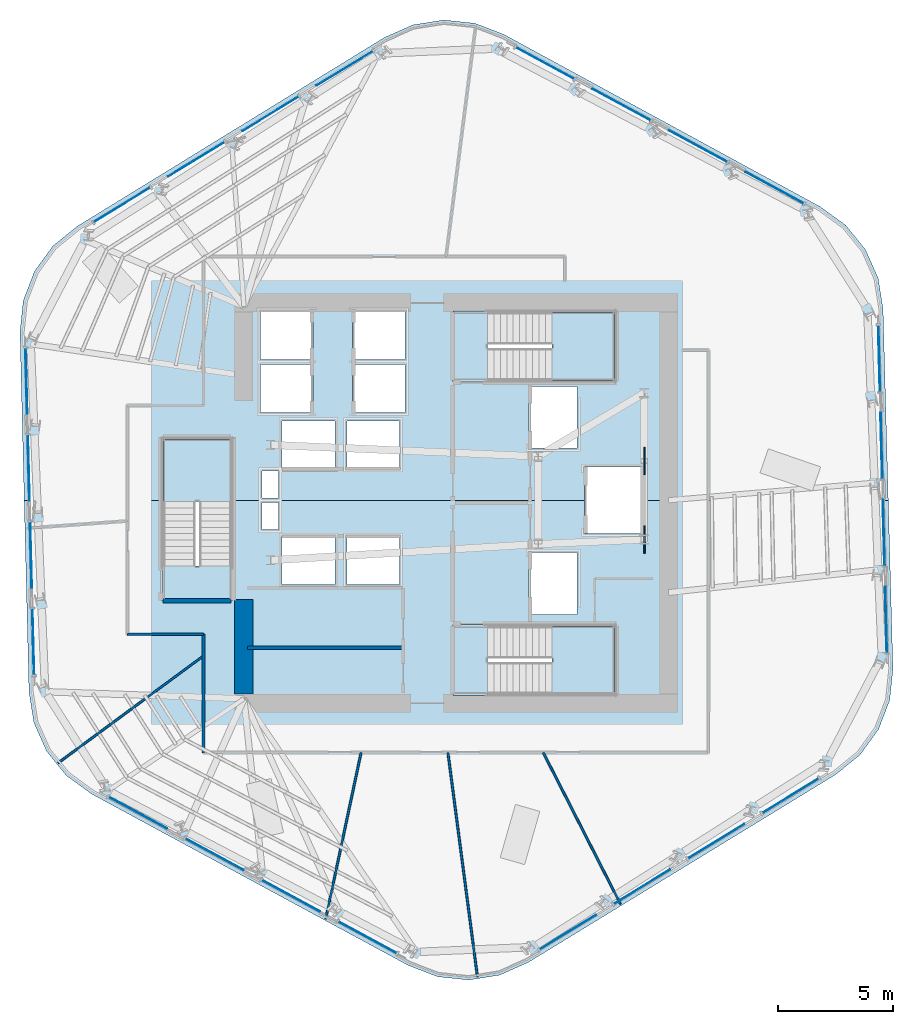
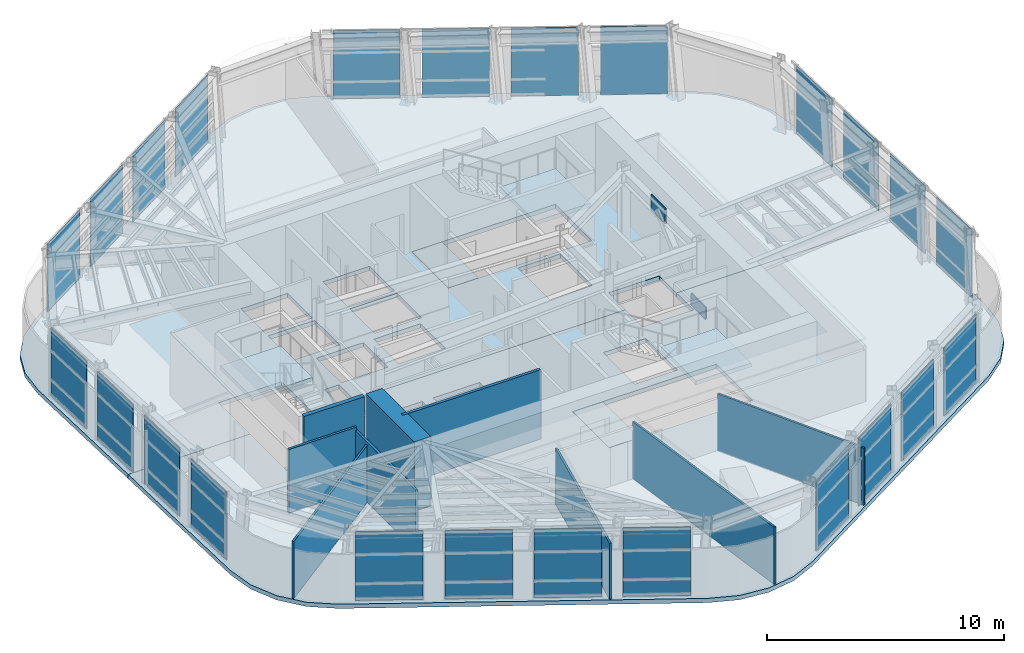
# One storey, part 7 of 15: 26 plates, 9 walls, 8 slabs, 9 elements without a shape of their own.
"""IFC4 building model written with IfcOpenShell, lengths in metres."""

import ifcopenshell
import ifcopenshell.guid

model = None  # the IFC model being written
_history = None  # IfcOwnerHistory: only IFC2X3 demands one
_inside = {}  # id of a spatial element -> (the spatial element, [elements in it])
_under = {}  # id of a project, library or spatial element -> (it, [spatial elements below it])
_declared = {}  # id of a project -> (the project, [libraries it declares])
_typed = {}  # id of a type object -> (the type object, [elements of that type])
_made_of = {}  # id of a material, layer set ... -> (it, [elements and type objects made of it])


def new_model(schema):
    """Start an empty IFC model of exactly this schema.

    Asked for "IFC4X3", IfcOpenShell would pick the latest addendum, in which some entities
    have other attributes; the version numbers below select the first issue.
    IFC2X3 requires an IfcOwnerHistory on every rooted entity: one is made here for all.
    """
    global model, _history
    if schema == "IFC4X3":
        model = ifcopenshell.file(schema_version=(4, 3, 0, 0))
    else:
        model = ifcopenshell.file(schema=schema)
    _inside.clear()
    _under.clear()
    _declared.clear()
    _typed.clear()
    _made_of.clear()
    _history = None
    if model.schema == "IFC2X3":
        org = make("IfcOrganization", Name="unknown")
        user = make(
            "IfcPersonAndOrganization",
            ThePerson=make("IfcPerson", FamilyName="unknown"),
            TheOrganization=org,
        )
        app = make(
            "IfcApplication",
            ApplicationDeveloper=org,
            Version="unknown",
            ApplicationFullName="unknown",
            ApplicationIdentifier="unknown",
        )
        _history = make(
            "IfcOwnerHistory",
            OwningUser=user,
            OwningApplication=app,
            ChangeAction="ADDED",
            CreationDate=0,
        )
    return model


def make(cls, **values):
    """One entity of the class cls with the attributes given. An attribute that is None is left unset."""
    return model.create_entity(
        cls, **{name: value for name, value in values.items() if value is not None}
    )


def rooted(cls, **values):
    """An entity with a GlobalId (a new one), such as an element, a storey or a relation."""
    return make(cls, GlobalId=ifcopenshell.guid.new(), OwnerHistory=_history, **values)


def si_unit(unit_type, name, prefix=None):
    """IfcSIUnit, for example si_unit("LENGTHUNIT", "METRE", prefix="MILLI")."""
    return make("IfcSIUnit", UnitType=unit_type, Prefix=prefix, Name=name)


def assignment(units):
    """IfcUnitAssignment: the units of a project."""
    return None if units is None else make("IfcUnitAssignment", Units=units)


def point(xyz):
    """IfcCartesianPoint."""
    return None if xyz is None else make("IfcCartesianPoint", Coordinates=xyz)


def direction(xyz):
    """IfcDirection."""
    return None if xyz is None else make("IfcDirection", DirectionRatios=xyz)


def frame(location, z_axis=None, x_axis=None):
    """IfcAxis2Placement3D, a coordinate frame: its origin and axes. An axis left out is left unset."""
    return make(
        "IfcAxis2Placement3D",
        Location=point(location),
        Axis=direction(z_axis),
        RefDirection=direction(x_axis),
    )


def frame_2d(location, x_axis=None):
    """IfcAxis2Placement2D, a coordinate frame in the plane: its origin and x axis."""
    return make(
        "IfcAxis2Placement2D", Location=point(location), RefDirection=direction(x_axis)
    )


def origin():
    """The frame at (0, 0, 0) with its axes left unset."""
    return frame((0.0, 0.0, 0.0))


def origin_2d():
    """The frame at (0, 0) in the plane with its x axis left unset."""
    return frame_2d((0.0, 0.0))


def place(relative_to, where):
    """IfcLocalPlacement: puts the frame where relative to a parent placement (None: the world)."""
    return make(
        "IfcLocalPlacement", PlacementRelTo=relative_to, RelativePlacement=where
    )


def context(
    kind, dimensions, precision=None, world=None, true_north=None, identifier=None
):
    """IfcGeometricRepresentationContext, for example the 3D "Model" context."""
    return make(
        "IfcGeometricRepresentationContext",
        ContextIdentifier=identifier,
        ContextType=kind,
        CoordinateSpaceDimension=dimensions,
        Precision=precision,
        WorldCoordinateSystem=world,
        TrueNorth=true_north,
    )


def subcontext(parent, identifier, kind, view, scale=None):
    """IfcGeometricRepresentationSubContext, for example "Body" below "Model"."""
    return make(
        "IfcGeometricRepresentationSubContext",
        ContextIdentifier=identifier,
        ContextType=kind,
        ParentContext=parent,
        TargetScale=scale,
        TargetView=view,
    )


def project(units=None, contexts=None):
    """IfcProject with its units and contexts."""
    return rooted(
        "IfcProject",
        Name="project",
        RepresentationContexts=contexts,
        UnitsInContext=assignment(units),
    )


def spatial(cls, under=None, at=None, **own):
    """A site, building, storey or space (cls), placed at a placement, below another one or the project."""
    s = rooted(cls, ObjectPlacement=at, **own)
    if under is not None:
        _under.setdefault(under.id(), (under, []))[1].append(s)
    return s


def polyline(points):
    """IfcPolyline through the points."""
    return make("IfcPolyline", Points=[point(p) for p in points])


def profile(cls, at=None, kind="AREA", **sizes):
    """A parametric profile (cls). Its sizes go by their IFC names, for example OverallWidth=200.0."""
    return make(cls, ProfileType=kind, Position=at, **sizes)


def rectangle(**sizes):
    """IfcRectangleProfileDef."""
    return profile("IfcRectangleProfileDef", **sizes)


def outline(outer, holes=None, kind="AREA"):
    """IfcArbitraryClosedProfileDef: a profile drawn as a closed curve; with holes, ...WithVoids."""
    if holes is None:
        return make("IfcArbitraryClosedProfileDef", ProfileType=kind, OuterCurve=outer)
    return make(
        "IfcArbitraryProfileDefWithVoids",
        ProfileType=kind,
        OuterCurve=outer,
        InnerCurves=holes,
    )


def extrude(swept, where, along, depth):
    """IfcExtrudedAreaSolid: the profile swept, set in the frame where, extruded along a direction by depth."""
    return make(
        "IfcExtrudedAreaSolid",
        SweptArea=swept,
        Position=where,
        ExtrudedDirection=direction(along),
        Depth=depth,
    )


def shape(context_of_items, identifier, shape_type, items):
    """IfcShapeRepresentation: the items that make up one representation, for example the "Body"."""
    return make(
        "IfcShapeRepresentation",
        ContextOfItems=context_of_items,
        RepresentationIdentifier=identifier,
        RepresentationType=shape_type,
        Items=items,
    )


def material(Name=None, Category=None):
    """IfcMaterial."""
    return make("IfcMaterial", Name=Name, Category=Category)


def layer(
    of_material, thickness, ventilated=None, Name=None, Category=None, Priority=None
):
    """IfcMaterialLayer: one layer of a wall or slab, of a material (None: an air gap)."""
    return make(
        "IfcMaterialLayer",
        Material=of_material,
        LayerThickness=thickness,
        IsVentilated=ventilated,
        Name=Name,
        Category=Category,
        Priority=Priority,
    )


def layer_set(layers, Name=None):
    """IfcMaterialLayerSet."""
    return make("IfcMaterialLayerSet", MaterialLayers=layers, LayerSetName=Name)


def made_of(thing, what):
    """Note that an element or type object is made of a material, layer set ...; save() writes the relation."""
    if what is not None:
        _made_of.setdefault(what.id(), (what, []))[1].append(thing)
    return thing


def type_object(cls, material=None, **own):
    """A type object (cls), such as IfcWallType, which elements share."""
    return made_of(rooted(cls, **own), material)


def element(
    cls,
    number,
    at=None,
    inside=None,
    cuts=None,
    type_object=None,
    material=None,
    context=None,
    identifier="Body",
    shape_type=None,
    held_by="IfcProductDefinitionShape",
    body=None,
    shapes=None,
    **own,
):
    """One element of the class cls, such as IfcWall. Its Tag is "e" and its number.

    at: its placement. inside: the storey or other place that contains it. cuts: it is an
    opening in that element (IfcRelVoidsElement). A single representation is given by context,
    identifier, shape_type and body (its items); several are given by shapes. held_by: the class
    of the entity that holds the representations. save() writes the other relations.
    """
    e = rooted(cls, Tag="e%d" % number, ObjectPlacement=at, **own)
    if body is not None:
        shapes = [shape(context, identifier, shape_type, body)]
    if shapes is not None:
        e.Representation = make(held_by, Representations=shapes)
    if inside is not None:
        _inside.setdefault(inside.id(), (inside, []))[1].append(e)
    if cuts is not None:
        rooted(
            "IfcRelVoidsElement", RelatingBuildingElement=cuts, RelatedOpeningElement=e
        )
    if type_object is not None:
        _typed.setdefault(type_object.id(), (type_object, []))[1].append(e)
    return made_of(e, material)


def aggregate(whole, parts):
    """IfcRelAggregates: a whole, such as a stair, and the parts it consists of."""
    return rooted("IfcRelAggregates", RelatingObject=whole, RelatedObjects=parts)


def save(model, path):
    """Write the relations noted so far, then the file.

    IfcRelAggregates (storeys below a building ...), IfcRelContainedInSpatialStructure (elements
    in a storey), IfcRelDefinesByType, IfcRelAssociatesMaterial and IfcRelDeclares: one each for
    every whole, place, type object, material and project.
    """
    for whole, parts in _under.values():
        aggregate(whole, parts)
    for where, things in _inside.values():
        rooted(
            "IfcRelContainedInSpatialStructure",
            RelatedElements=things,
            RelatingStructure=where,
        )
    for kind, things in _typed.values():
        rooted("IfcRelDefinesByType", RelatedObjects=things, RelatingType=kind)
    for what, things in _made_of.values():
        rooted("IfcRelAssociatesMaterial", RelatedObjects=things, RelatingMaterial=what)
    for by, libraries in _declared.values():
        rooted("IfcRelDeclares", RelatingContext=by, RelatedDefinitions=libraries)
    model.write(path)


model = new_model("IFC4")

# Units and contexts
model_context = context("Model", 3, precision=1e-05, world=origin(), true_north=direction((0.0, 1.0)))
body_context = subcontext(model_context, "Body", "Model", "MODEL_VIEW")
ifc_project = project(units=[si_unit("LENGTHUNIT", "METRE"), si_unit("AREAUNIT", "SQUARE_METRE"), si_unit("VOLUMEUNIT", "CUBIC_METRE"), si_unit("PLANEANGLEUNIT", "RADIAN"), si_unit("MASSUNIT", "GRAM", prefix="KILO")], contexts=[model_context])

# Site, building, storey
site_placement = place(None, origin())
site = spatial("IfcSite", under=ifc_project, at=site_placement, CompositionType="ELEMENT")
building_placement = place(site_placement, origin())
building = spatial("IfcBuilding", under=site, at=building_placement, Name="Valkerne Bourse Tower", CompositionType="ELEMENT")
storey_placement = place(building_placement, frame((0.0, 0.0, 159.0)))
storey = spatial("IfcBuildingStorey", under=building, at=storey_placement, Name="L40", CompositionType="ELEMENT", Elevation=159.0)

# Curtain wall, plates
ifc_material_1 = material(Name="Aluminium AA 6063-T6", Category="aluminium")
ifc_layer_1 = layer(ifc_material_1, 0.235107421875)
ifc_layer_set_1 = layer_set([ifc_layer_1], Name="Aluminium AA 6063-T6")
curtain_wall_type = type_object("IfcCurtainWallType", Name="CW-03", PredefinedType="NOTDEFINED", material=ifc_layer_set_1)
curtain_wall_1_placement = place(storey_placement, origin())
curtain_wall_1 = element("IfcCurtainWall", 1, at=curtain_wall_1_placement, inside=storey, type_object=curtain_wall_type, Name="L40 Hexagonal Stick Curtain Wall Face 1", PredefinedType="NOTDEFINED")
ifc_material_2 = material(Name="Glass IGU Low-E Double Glazed", Category="glass")
ifc_layer_2 = layer(ifc_material_2, 0.031982421875)
ifc_layer_set_2 = layer_set([ifc_layer_2], Name="Glass IGU Low-E Double Glazed")
plate_type_1 = type_object("IfcPlateType", Name="CW-PNL-IGU-32", PredefinedType="CURTAIN_PANEL", material=ifc_layer_set_2)
plate_1_placement = place(storey_placement, frame((60.59033203125, 40.54443359375, 0.030029296875), z_axis=(0.0, 0.0, 1.0), x_axis=(-0.878823249644, 0.477147457171, 0.0)))
plate_1 = element("IfcPlate", 2, at=plate_1_placement, type_object=plate_type_1, Name="CW-L40-F1 Curtain Panel 00", PredefinedType="CURTAIN_PANEL", context=body_context, shape_type="SweptSolid", body=[
    extrude(rectangle(XDim=2.85107421875, YDim=0.031982421875, at=origin_2d()), origin(), (0.0, 0.0, 1.0), 3.52001953125),
])
plate_2_placement = place(storey_placement, frame((57.2763671875, 42.34375, 0.030029296875), z_axis=(0.0, 0.0, 1.0), x_axis=(-0.878812129585, 0.477167937831, 0.0)))
plate_2 = element("IfcPlate", 3, at=plate_2_placement, type_object=plate_type_1, Name="CW-L40-F1 Curtain Panel 01", PredefinedType="CURTAIN_PANEL", context=body_context, shape_type="SweptSolid", body=[
    extrude(rectangle(XDim=2.85107421875, YDim=0.031982421875, at=origin_2d()), origin(), (0.0, 0.0, 1.0), 3.52001953125),
])
plate_3_placement = place(storey_placement, frame((53.96240234375, 44.14306640625, 0.030029296875), z_axis=(0.0, 0.0, 1.0), x_axis=(-0.878823249644, 0.477147457171, 0.0)))
plate_3 = element("IfcPlate", 4, at=plate_3_placement, type_object=plate_type_1, Name="CW-L40-F1 Curtain Panel 02", PredefinedType="CURTAIN_PANEL", context=body_context, shape_type="SweptSolid", body=[
    extrude(rectangle(XDim=2.85107421875, YDim=0.031982421875, at=origin_2d()), origin(), (0.0, 0.0, 1.0), 3.52001953125),
])
plate_4_placement = place(storey_placement, frame((50.6484375, 45.9423828125, 0.030029296875), z_axis=(0.0, 0.0, 1.0), x_axis=(-0.878812129585, 0.477167937831, 0.0)))
plate_4 = element("IfcPlate", 5, at=plate_4_placement, type_object=plate_type_1, Name="CW-L40-F1 Curtain Panel 03", PredefinedType="CURTAIN_PANEL", context=body_context, shape_type="SweptSolid", body=[
    extrude(rectangle(XDim=2.85107421875, YDim=0.031982421875, at=origin_2d()), origin(), (0.0, 0.0, 1.0), 3.52001953125),
])
aggregate(curtain_wall_1, [plate_1, plate_2, plate_3, plate_4])

curtain_wall_2_placement = place(storey_placement, origin())
curtain_wall_2 = element("IfcCurtainWall", 6, at=curtain_wall_2_placement, inside=storey, type_object=curtain_wall_type, Name="L40 Hexagonal Stick Curtain Wall Face 2", PredefinedType="NOTDEFINED")
plate_5_placement = place(storey_placement, frame((41.965576171875, 45.715087890625, 0.030029296875), z_axis=(0.0, 0.0, 1.0), x_axis=(-0.852644697846, -0.522491166657, 0.0)))
plate_5 = element("IfcPlate", 7, at=plate_5_placement, type_object=plate_type_1, Name="CW-L40-F2 Curtain Panel 00", PredefinedType="CURTAIN_PANEL", context=body_context, shape_type="SweptSolid", body=[
    extrude(rectangle(XDim=2.85107421875, YDim=0.031982421875, at=origin_2d()), origin(), (0.0, 0.0, 1.0), 3.52001953125),
])
plate_6_placement = place(storey_placement, frame((38.750244140625, 43.74462890625, 0.030029296875), z_axis=(0.0, 0.0, 1.0), x_axis=(-0.85263288388, -0.522510445184, 0.0)))
plate_6 = element("IfcPlate", 8, at=plate_6_placement, type_object=plate_type_1, Name="CW-L40-F2 Curtain Panel 01", PredefinedType="CURTAIN_PANEL", context=body_context, shape_type="SweptSolid", body=[
    extrude(rectangle(XDim=2.85107421875, YDim=0.031982421875, at=origin_2d()), origin(), (0.0, 0.0, 1.0), 3.52001953125),
])
plate_7_placement = place(storey_placement, frame((35.534912109375, 41.7744140625, 0.030029296875), z_axis=(0.0, 0.0, 1.0), x_axis=(-0.852644697846, -0.522491166657, 0.0)))
plate_7 = element("IfcPlate", 9, at=plate_7_placement, type_object=plate_type_1, Name="CW-L40-F2 Curtain Panel 02", PredefinedType="CURTAIN_PANEL", context=body_context, shape_type="SweptSolid", body=[
    extrude(rectangle(XDim=2.85107421875, YDim=0.031982421875, at=origin_2d()), origin(), (0.0, 0.0, 1.0), 3.52001953125),
])
plate_8_placement = place(storey_placement, frame((32.319580078125, 39.80419921875, 0.030029296875), z_axis=(0.0, 0.0, 1.0), x_axis=(-0.852644697846, -0.522491166657, 0.0)))
plate_8 = element("IfcPlate", 10, at=plate_8_placement, type_object=plate_type_1, Name="CW-L40-F2 Curtain Panel 03", PredefinedType="CURTAIN_PANEL", context=body_context, shape_type="SweptSolid", body=[
    extrude(rectangle(XDim=2.85107421875, YDim=0.031982421875, at=origin_2d()), origin(), (0.0, 0.0, 1.0), 3.52001953125),
])
aggregate(curtain_wall_2, [plate_5, plate_6, plate_7, plate_8])

curtain_wall_3_placement = place(storey_placement, origin())
curtain_wall_3 = element("IfcCurtainWall", 11, at=curtain_wall_3_placement, inside=storey, type_object=curtain_wall_type, Name="L40 Hexagonal Stick Curtain Wall Face 3", PredefinedType="NOTDEFINED")
plate_9_placement = place(storey_placement, frame((28.175048828125, 32.170654296875, 0.030029296875), z_axis=(0.0, 0.0, 1.0), x_axis=(0.026173485138, -0.999657415656, 0.0)))
plate_9 = element("IfcPlate", 12, at=plate_9_placement, type_object=plate_type_1, Name="CW-L40-F3 Curtain Panel 00", PredefinedType="CURTAIN_PANEL", context=body_context, shape_type="SweptSolid", body=[
    extrude(rectangle(XDim=2.850830078125, YDim=0.031982421875, at=origin_2d()), origin(), (0.0, 0.0, 1.0), 3.52001953125),
])
plate_10_placement = place(storey_placement, frame((28.273681640625, 28.40087890625, 0.030029296875), z_axis=(0.0, 0.0, 1.0), x_axis=(0.026173485138, -0.999657415656, 0.0)))
plate_10 = element("IfcPlate", 13, at=plate_10_placement, type_object=plate_type_1, Name="CW-L40-F3 Curtain Panel 01", PredefinedType="CURTAIN_PANEL", context=body_context, shape_type="SweptSolid", body=[
    extrude(rectangle(XDim=2.850830078125, YDim=0.031982421875, at=origin_2d()), origin(), (0.0, 0.0, 1.0), 3.52001953125),
])
plate_11_placement = place(storey_placement, frame((28.37255859375, 24.63134765625, 0.030029296875), z_axis=(0.0, 0.0, 1.0), x_axis=(0.026173485138, -0.999657415656, 0.0)))
plate_11 = element("IfcPlate", 14, at=plate_11_placement, type_object=plate_type_1, Name="CW-L40-F3 Curtain Panel 02", PredefinedType="CURTAIN_PANEL", context=body_context, shape_type="SweptSolid", body=[
    extrude(rectangle(XDim=2.850830078125, YDim=0.031982421875, at=origin_2d()), origin(), (0.0, 0.0, 1.0), 3.52001953125),
])
plate_12_placement = place(storey_placement, frame((28.47119140625, 20.861572265625, 0.030029296875), z_axis=(0.0, 0.0, 1.0), x_axis=(0.026173485138, -0.999657415656, 0.0)))
plate_12 = element("IfcPlate", 15, at=plate_12_placement, type_object=plate_type_1, Name="CW-L40-F3 Curtain Panel 03", PredefinedType="CURTAIN_PANEL", context=body_context, shape_type="SweptSolid", body=[
    extrude(rectangle(XDim=2.850830078125, YDim=0.031982421875, at=origin_2d()), origin(), (0.0, 0.0, 1.0), 3.52001953125),
])
aggregate(curtain_wall_3, [plate_9, plate_10, plate_11, plate_12])

curtain_wall_4_placement = place(storey_placement, origin())
curtain_wall_4 = element("IfcCurtainWall", 16, at=curtain_wall_4_placement, inside=storey, type_object=curtain_wall_type, Name="L40 Hexagonal Stick Curtain Wall Face 4", PredefinedType="NOTDEFINED")
plate_13_placement = place(storey_placement, frame((33.009521484375, 13.45556640625, 0.030029296875), z_axis=(0.0, 0.0, 1.0), x_axis=(0.878823249644, -0.477147457171, 0.0)))
plate_13 = element("IfcPlate", 17, at=plate_13_placement, type_object=plate_type_1, Name="CW-L40-F4 Curtain Panel 00", PredefinedType="CURTAIN_PANEL", context=body_context, shape_type="SweptSolid", body=[
    extrude(rectangle(XDim=2.85107421875, YDim=0.031982421875, at=origin_2d()), origin(), (0.0, 0.0, 1.0), 3.52001953125),
])
plate_14_placement = place(storey_placement, frame((36.323486328125, 11.65625, 0.030029296875), z_axis=(0.0, 0.0, 1.0), x_axis=(0.878812129585, -0.477167937831, 0.0)))
plate_14 = element("IfcPlate", 18, at=plate_14_placement, type_object=plate_type_1, Name="CW-L40-F4 Curtain Panel 01", PredefinedType="CURTAIN_PANEL", context=body_context, shape_type="SweptSolid", body=[
    extrude(rectangle(XDim=2.85107421875, YDim=0.031982421875, at=origin_2d()), origin(), (0.0, 0.0, 1.0), 3.52001953125),
])
plate_15_placement = place(storey_placement, frame((39.6376953125, 9.85693359375, 0.030029296875), z_axis=(0.0, 0.0, 1.0), x_axis=(0.878823249644, -0.477147457171, 0.0)))
plate_15 = element("IfcPlate", 19, at=plate_15_placement, type_object=plate_type_1, Name="CW-L40-F4 Curtain Panel 02", PredefinedType="CURTAIN_PANEL", context=body_context, shape_type="SweptSolid", body=[
    extrude(rectangle(XDim=2.85107421875, YDim=0.031982421875, at=origin_2d()), origin(), (0.0, 0.0, 1.0), 3.52001953125),
])
plate_16_placement = place(storey_placement, frame((42.95166015625, 8.0576171875, 0.030029296875), z_axis=(0.0, 0.0, 1.0), x_axis=(0.878812129585, -0.477167937831, 0.0)))
plate_16 = element("IfcPlate", 20, at=plate_16_placement, type_object=plate_type_1, Name="CW-L40-F4 Curtain Panel 03", PredefinedType="CURTAIN_PANEL", context=body_context, shape_type="SweptSolid", body=[
    extrude(rectangle(XDim=2.85107421875, YDim=0.031982421875, at=origin_2d()), origin(), (0.0, 0.0, 1.0), 3.52001953125),
])
aggregate(curtain_wall_4, [plate_13, plate_14, plate_15, plate_16])

curtain_wall_5_placement = place(storey_placement, origin())
curtain_wall_5 = element("IfcCurtainWall", 21, at=curtain_wall_5_placement, inside=storey, type_object=curtain_wall_type, Name="L40 Hexagonal Stick Curtain Wall Face 5", PredefinedType="NOTDEFINED")
plate_17_placement = place(storey_placement, frame((51.634521484375, 8.284912109375, 0.030029296875), z_axis=(0.0, 0.0, 1.0), x_axis=(0.852644697846, 0.522491166657, 0.0)))
plate_17 = element("IfcPlate", 22, at=plate_17_placement, type_object=plate_type_1, Name="CW-L40-F5 Curtain Panel 00", PredefinedType="CURTAIN_PANEL", context=body_context, shape_type="SweptSolid", body=[
    extrude(rectangle(XDim=2.85107421875, YDim=0.031982421875, at=origin_2d()), origin(), (0.0, 0.0, 1.0), 3.52001953125),
])
plate_18_placement = place(storey_placement, frame((54.849853515625, 10.25537109375, 0.030029296875), z_axis=(0.0, 0.0, 1.0), x_axis=(0.85263288388, 0.522510445184, 0.0)))
plate_18 = element("IfcPlate", 23, at=plate_18_placement, type_object=plate_type_1, Name="CW-L40-F5 Curtain Panel 01", PredefinedType="CURTAIN_PANEL", context=body_context, shape_type="SweptSolid", body=[
    extrude(rectangle(XDim=2.85107421875, YDim=0.031982421875, at=origin_2d()), origin(), (0.0, 0.0, 1.0), 3.52001953125),
])
plate_19_placement = place(storey_placement, frame((58.065185546875, 12.2255859375, 0.030029296875), z_axis=(0.0, 0.0, 1.0), x_axis=(0.852644697846, 0.522491166657, 0.0)))
plate_19 = element("IfcPlate", 24, at=plate_19_placement, type_object=plate_type_1, Name="CW-L40-F5 Curtain Panel 02", PredefinedType="CURTAIN_PANEL", context=body_context, shape_type="SweptSolid", body=[
    extrude(rectangle(XDim=2.85107421875, YDim=0.031982421875, at=origin_2d()), origin(), (0.0, 0.0, 1.0), 3.52001953125),
])
plate_20_placement = place(storey_placement, frame((61.280517578125, 14.19580078125, 0.030029296875), z_axis=(0.0, 0.0, 1.0), x_axis=(0.852644697846, 0.522491166657, 0.0)))
plate_20 = element("IfcPlate", 25, at=plate_20_placement, type_object=plate_type_1, Name="CW-L40-F5 Curtain Panel 03", PredefinedType="CURTAIN_PANEL", context=body_context, shape_type="SweptSolid", body=[
    extrude(rectangle(XDim=2.85107421875, YDim=0.031982421875, at=origin_2d()), origin(), (0.0, 0.0, 1.0), 3.52001953125),
])
aggregate(curtain_wall_5, [plate_17, plate_18, plate_19, plate_20])

curtain_wall_6_placement = place(storey_placement, origin())
curtain_wall_6 = element("IfcCurtainWall", 26, at=curtain_wall_6_placement, inside=storey, type_object=curtain_wall_type, Name="L40 Hexagonal Stick Curtain Wall Face 6", PredefinedType="NOTDEFINED")
plate_21_placement = place(storey_placement, frame((65.4248046875, 21.829345703125, 0.030029296875), z_axis=(0.0, 0.0, 1.0), x_axis=(-0.026173485138, 0.999657415656, 0.0)))
plate_21 = element("IfcPlate", 27, at=plate_21_placement, type_object=plate_type_1, Name="CW-L40-F6 Curtain Panel 00", PredefinedType="CURTAIN_PANEL", context=body_context, shape_type="SweptSolid", body=[
    extrude(rectangle(XDim=2.850830078125, YDim=0.031982421875, at=origin_2d()), origin(), (0.0, 0.0, 1.0), 3.52001953125),
])
plate_22_placement = place(storey_placement, frame((65.326171875, 25.59912109375, 0.030029296875), z_axis=(0.0, 0.0, 1.0), x_axis=(-0.026173485138, 0.999657415656, 0.0)))
plate_22 = element("IfcPlate", 28, at=plate_22_placement, type_object=plate_type_1, Name="CW-L40-F6 Curtain Panel 01", PredefinedType="CURTAIN_PANEL", context=body_context, shape_type="SweptSolid", body=[
    extrude(rectangle(XDim=2.850830078125, YDim=0.031982421875, at=origin_2d()), origin(), (0.0, 0.0, 1.0), 3.52001953125),
])
plate_23_placement = place(storey_placement, frame((65.2275390625, 29.36865234375, 0.030029296875), z_axis=(0.0, 0.0, 1.0), x_axis=(-0.026173485138, 0.999657415656, 0.0)))
plate_23 = element("IfcPlate", 29, at=plate_23_placement, type_object=plate_type_1, Name="CW-L40-F6 Curtain Panel 02", PredefinedType="CURTAIN_PANEL", context=body_context, shape_type="SweptSolid", body=[
    extrude(rectangle(XDim=2.850830078125, YDim=0.031982421875, at=origin_2d()), origin(), (0.0, 0.0, 1.0), 3.52001953125),
])
plate_24_placement = place(storey_placement, frame((65.12890625, 33.138427734375, 0.030029296875), z_axis=(0.0, 0.0, 1.0), x_axis=(-0.026173485138, 0.999657415656, 0.0)))
plate_24 = element("IfcPlate", 30, at=plate_24_placement, type_object=plate_type_1, Name="CW-L40-F6 Curtain Panel 03", PredefinedType="CURTAIN_PANEL", context=body_context, shape_type="SweptSolid", body=[
    extrude(rectangle(XDim=2.850830078125, YDim=0.031982421875, at=origin_2d()), origin(), (0.0, 0.0, 1.0), 3.52001953125),
])
aggregate(curtain_wall_6, [plate_21, plate_22, plate_23, plate_24])

# Plates
ifc_material_3 = material(Name="Steel ASTM A572 Grade 50", Category="steel")
ifc_layer_3 = layer(ifc_material_3, 0.06005859375)
ifc_layer_set_3 = layer_set([ifc_layer_3], Name="Steel ASTM A572 Grade 50")
plate_type_2 = type_object("IfcPlateType", Name="PLT-GUS-60", PredefinedType="SHEET", material=ifc_layer_set_3)
for number, where, z_axis, x_axis, name in (
    (31, (54.949951171875, 25.300048828125, -0.18017578125), (0.0, 0.0, 1.0), (0.0, 1.0, 0.0), "L40 Brace Node Gusset Plate PLT-GUS-END-L40-396"),
    (32, (54.949951171875, 28.699951171875, 2.8740234375), (0.0, 0.0, 1.0), (0.0, 1.0, 0.0), "L40 Brace Node Gusset Plate PLT-GUS-END-L40-397"),
):
    element("IfcPlate", number, at=place(storey_placement, frame(where, z_axis=z_axis, x_axis=x_axis)), inside=storey, type_object=plate_type_2, Name=name, PredefinedType="SHEET", context=body_context, shape_type="SweptSolid", body=[
        extrude(rectangle(XDim=1.199951171875, YDim=0.06005859375, at=origin_2d()), origin(), (0.0, 0.0, 1.0), 0.800048828125),
    ])

# Slabs
ifc_material_4 = material(Name="Concrete C40/50", Category="concrete")
ifc_layer_4 = layer(ifc_material_4, 0.25)
ifc_layer_set_4 = layer_set([ifc_layer_4], Name="Concrete C40/50")
slab_type_1 = type_object("IfcSlabType", Name="SLB-RMP-LND-250", PredefinedType="LANDING", material=ifc_layer_set_4)
slab_1_placement = place(storey_placement, frame((0.0, 0.0, -0.219970703125)))
element("IfcSlab", 33, at=slab_1_placement, inside=storey, type_object=slab_type_1, Name="L40 ST-1 Floor Landing Slab", PredefinedType="LANDING", context=body_context, shape_type="SweptSolid", body=[
    extrude(outline(polyline([(46.669921875, 18.5400390625), (48.14990234375, 18.5400390625), (48.14990234375, 21.610107421875), (46.669921875, 21.610107421875), (46.669921875, 18.5400390625)])), origin(), (0.0, 0.0, 1.0), 0.219970703125),
])
slab_2_placement = place(storey_placement, frame((0.0, 0.0, -0.219970703125)))
element("IfcSlab", 34, at=slab_2_placement, inside=storey, type_object=slab_type_1, Name="L40 ST-2 Floor Landing Slab", PredefinedType="LANDING", context=body_context, shape_type="SweptSolid", body=[
    extrude(outline(polyline([(46.669921875, 32.139892578125), (48.14990234375, 32.139892578125), (48.14990234375, 35.2099609375), (46.669921875, 35.2099609375), (46.669921875, 32.139892578125)])), origin(), (0.0, 0.0, 1.0), 0.219970703125),
])
slab_3_placement = place(storey_placement, frame((0.0, 0.0, -0.219970703125)))
element("IfcSlab", 35, at=slab_3_placement, inside=storey, type_object=slab_type_1, Name="L40 ST-3 Floor Landing Slab", PredefinedType="LANDING", context=body_context, shape_type="SweptSolid", body=[
    extrude(outline(polyline([(37.110107421875, 22.669921875), (37.110107421875, 24.14990234375), (34.0400390625, 24.14990234375), (34.0400390625, 22.669921875), (37.110107421875, 22.669921875)])), origin(), (0.0, 0.0, 1.0), 0.219970703125),
])

# Stair, slab
stair_type = type_object("IfcStairType", Name="ST-CORE-1400", PredefinedType="HALF_TURN_STAIR", material=ifc_material_4)
stair_1_placement = place(storey_placement, origin())
stair_1 = element("IfcStair", 36, at=stair_1_placement, inside=storey, type_object=stair_type, Name="L40 ST-1", PredefinedType="HALF_TURN_STAIR")
ifc_layer_5 = layer(ifc_material_4, 0.179931640625)
ifc_layer_set_5 = layer_set([ifc_layer_5], Name="Concrete C40/50")
slab_type_2 = type_object("IfcSlabType", Name="SLB-ST-LND-180", PredefinedType="LANDING", material=ifc_layer_set_5)
slab_4_placement = place(storey_placement, frame((0.0, 0.0, 1.699951171875)))
slab_4 = element("IfcSlab", 37, at=slab_4_placement, type_object=slab_type_2, Name="ST-1 landing 1", PredefinedType="LANDING", context=body_context, shape_type="SweptSolid", body=[
    extrude(outline(polyline([(50.949951171875, 18.60009765625), (53.64990234375, 18.60009765625), (53.64990234375, 21.550048828125), (50.949951171875, 21.550048828125), (50.949951171875, 18.60009765625)])), origin(), (0.0, 0.0, 1.0), 0.199951171875),
])
aggregate(stair_1, [slab_4])

stair_2_placement = place(storey_placement, origin())
stair_2 = element("IfcStair", 38, at=stair_2_placement, inside=storey, type_object=stair_type, Name="L40 ST-2", PredefinedType="HALF_TURN_STAIR")
slab_5_placement = place(storey_placement, frame((0.0, 0.0, 1.699951171875)))
slab_5 = element("IfcSlab", 39, at=slab_5_placement, type_object=slab_type_2, Name="ST-2 landing 1", PredefinedType="LANDING", context=body_context, shape_type="SweptSolid", body=[
    extrude(outline(polyline([(50.949951171875, 32.199951171875), (53.64990234375, 32.199951171875), (53.64990234375, 35.14990234375), (50.949951171875, 35.14990234375), (50.949951171875, 32.199951171875)])), origin(), (0.0, 0.0, 1.0), 0.199951171875),
])
aggregate(stair_2, [slab_5])

stair_3_placement = place(storey_placement, origin())
stair_3 = element("IfcStair", 40, at=stair_3_placement, inside=storey, type_object=stair_type, Name="L40 ST-3", PredefinedType="HALF_TURN_STAIR")
slab_6_placement = place(storey_placement, frame((0.0, 0.0, 1.699951171875)))
slab_6 = element("IfcSlab", 41, at=slab_6_placement, type_object=slab_type_2, Name="ST-3 landing 1", PredefinedType="LANDING", context=body_context, shape_type="SweptSolid", body=[
    extrude(outline(polyline([(37.050048828125, 26.949951171875), (37.050048828125, 29.64990234375), (34.10009765625, 29.64990234375), (34.10009765625, 26.949951171875), (37.050048828125, 26.949951171875)])), origin(), (0.0, 0.0, 1.0), 0.199951171875),
])
aggregate(stair_3, [slab_6])

# Slabs
ifc_layer_6 = layer(ifc_material_4, 0.219970703125)
ifc_layer_set_6 = layer_set([ifc_layer_6], Name="Concrete C40/50")
slab_type_3 = type_object("IfcSlabType", Name="SLB-TOW-220", PredefinedType="FLOOR", material=ifc_layer_set_6)
slab_7_placement = place(storey_placement, frame((0.0, 0.0, -0.219970703125)))
element("IfcSlab", 42, at=slab_7_placement, inside=storey, type_object=slab_type_3, Name="L40 Hexagonal Composite Floor Slab S", PredefinedType="FLOOR", context=body_context, shape_type="SweptSolid", body=[
    extrude(outline(polyline([(65.58251953125, 18.33349609375), (65.095947265625, 17.066162109375), (64.298095703125, 15.968017578125), (63.2431640625, 15.113525390625), (49.92529296875, 6.97607421875), (48.68505859375, 6.423828125), (47.344482421875, 6.211669921875), (45.994384765625, 6.353515625), (44.72705078125, 6.83984375), (31.00146484375, 14.269287109375), (29.9033203125, 15.067138671875), (29.049072265625, 16.122314453125), (28.496826171875, 17.3623046875), (28.284423828125, 18.702880859375), (28.077880859375, 27.0), (34.034912109375, 27.0), (34.034912109375, 22.6650390625), (37.114990234375, 22.6650390625), (37.114990234375, 27.0), (52.360107421875, 27.0), (52.360107421875, 25.56005859375), (54.840087890625, 25.56005859375), (54.840087890625, 27.0), (65.523193359375, 27.0), (65.724365234375, 19.683349609375), (65.58251953125, 18.33349609375)]), holes=[polyline([(41.5400390625, 25.43994140625), (39.260009765625, 25.43994140625), (39.260009765625, 23.360107421875), (41.5400390625, 23.360107421875), (41.5400390625, 25.43994140625)]), polyline([(44.340087890625, 25.43994140625), (42.06005859375, 25.43994140625), (42.06005859375, 23.360107421875), (44.340087890625, 23.360107421875), (44.340087890625, 25.43994140625)]), polyline([(39.10009765625, 26.89990234375), (38.3798828125, 26.89990234375), (38.3798828125, 25.72998046875), (39.10009765625, 25.72998046875), (39.10009765625, 26.89990234375)]), polyline([(53.675048828125, 21.614990234375), (46.6650390625, 21.614990234375), (46.6650390625, 18.534912109375), (53.675048828125, 18.534912109375), (53.675048828125, 21.614990234375)]), polyline([(52.0400390625, 24.739990234375), (49.9599609375, 24.739990234375), (49.9599609375, 22.06005859375), (52.0400390625, 22.06005859375), (52.0400390625, 24.739990234375)])]), origin(), (0.0, 0.0, 1.0), 0.219970703125),
])
slab_8_placement = place(storey_placement, frame((0.0, 0.0, -0.219970703125)))
element("IfcSlab", 43, at=slab_8_placement, inside=storey, type_object=slab_type_3, Name="L40 Hexagonal Composite Floor Slab N", PredefinedType="FLOOR", context=body_context, shape_type="SweptSolid", body=[
    extrude(outline(polyline([(27.89599609375, 34.305419921875), (28.0380859375, 35.655517578125), (28.5244140625, 36.9228515625), (29.322509765625, 38.02099609375), (30.37744140625, 38.875244140625), (43.67431640625, 47.047119140625), (44.914306640625, 47.599365234375), (46.2548828125, 47.811767578125), (47.60498046875, 47.669921875), (48.872314453125, 47.183349609375), (62.57861328125, 39.718505859375), (63.6767578125, 38.920654296875), (64.531005859375, 37.865478515625), (65.083251953125, 36.62548828125), (65.295654296875, 35.284912109375), (65.523193359375, 27.0), (54.840087890625, 27.0), (54.840087890625, 28.43994140625), (52.360107421875, 28.43994140625), (52.360107421875, 27.0), (37.114990234375, 27.0), (37.114990234375, 29.675048828125), (34.034912109375, 29.675048828125), (34.034912109375, 27.0), (28.077880859375, 27.0), (27.89599609375, 34.305419921875)]), holes=[polyline([(39.10009765625, 28.27001953125), (38.3798828125, 28.27001953125), (38.3798828125, 27.10009765625), (39.10009765625, 27.10009765625), (39.10009765625, 28.27001953125)]), polyline([(41.5400390625, 30.43994140625), (39.260009765625, 30.43994140625), (39.260009765625, 28.360107421875), (41.5400390625, 28.360107421875), (41.5400390625, 30.43994140625)]), polyline([(40.590087890625, 32.889892578125), (38.31005859375, 32.889892578125), (38.31005859375, 30.81005859375), (40.590087890625, 30.81005859375), (40.590087890625, 32.889892578125)]), polyline([(40.590087890625, 35.18994140625), (38.31005859375, 35.18994140625), (38.31005859375, 33.110107421875), (40.590087890625, 33.110107421875), (40.590087890625, 35.18994140625)]), polyline([(44.340087890625, 30.43994140625), (42.06005859375, 30.43994140625), (42.06005859375, 28.360107421875), (44.340087890625, 28.360107421875), (44.340087890625, 30.43994140625)]), polyline([(52.0400390625, 31.93994140625), (49.9599609375, 31.93994140625), (49.9599609375, 29.260009765625), (52.0400390625, 29.260009765625), (52.0400390625, 31.93994140625)]), polyline([(44.590087890625, 32.889892578125), (42.31005859375, 32.889892578125), (42.31005859375, 30.81005859375), (44.590087890625, 30.81005859375), (44.590087890625, 32.889892578125)]), polyline([(53.675048828125, 35.215087890625), (46.6650390625, 35.215087890625), (46.6650390625, 32.135009765625), (53.675048828125, 32.135009765625), (53.675048828125, 35.215087890625)]), polyline([(44.590087890625, 35.18994140625), (42.31005859375, 35.18994140625), (42.31005859375, 33.110107421875), (44.590087890625, 33.110107421875), (44.590087890625, 35.18994140625)])]), origin(), (0.0, 0.0, 1.0), 0.219970703125),
])

# Walls
ifc_material_5 = material(Name="Concrete C55/67", Category="concrete")
ifc_layer_7 = layer(ifc_material_5, 0.800048828125)
ifc_layer_set_7 = layer_set([ifc_layer_7], Name="Concrete C55/67")
wall_type_1 = type_object("IfcWallType", Name="W-CORE-800", PredefinedType="SHEAR", material=ifc_layer_set_7)
wall_1_placement = place(storey_placement, frame((37.60009765625, 18.60009765625, 0.0), z_axis=(0.0, 0.0, 1.0), x_axis=(0.0, 1.0, 0.0)))
element("IfcWall", 44, at=wall_1_placement, inside=storey, type_object=wall_type_1, Name="L40 Core Shear Wall WEST-S", PredefinedType="SHEAR", context=body_context, shape_type="SweptSolid", body=[
    extrude(rectangle(XDim=4.099853515625, YDim=0.800048828125, at=frame_2d((2.0498046875, 0.0))), origin(), (0.0, 0.0, 1.0), 3.580078125),
])
ifc_material_6 = material(Name="Gypsum Board Steel-Stud Partition", Category="steel")
ifc_layer_8 = layer(ifc_material_6, 0.117919921875)
ifc_layer_set_8 = layer_set([ifc_layer_8], Name="Gypsum Board Steel-Stud Partition")
wall_type_2 = type_object("IfcWallType", Name="W-CORR-140", PredefinedType="PARTITIONING", material=ifc_layer_set_8)
wall_2_placement = place(storey_placement, frame((35.85009765625, 16.080078125, 0.0), z_axis=(0.0, 0.0, 1.0), x_axis=(0.0, 1.0, 0.0)))
element("IfcWall", 45, at=wall_2_placement, inside=storey, type_object=wall_type_2, Name="L40 Corridor Enclosure Wall", PredefinedType="PARTITIONING", context=body_context, shape_type="SweptSolid", body=[
    extrude(rectangle(XDim=5.119873046875, YDim=0.117919921875, at=frame_2d((2.56005859375, 0.0))), origin(), (0.0, 0.0, 1.0), 3.107666015625),
])
wall_3_placement = place(storey_placement, frame((35.85009765625, 21.199951171875, 0.0), z_axis=(0.0, 0.0, 1.0), x_axis=(-1.0, 0.0, 0.0)))
element("IfcWall", 46, at=wall_3_placement, inside=storey, type_object=wall_type_2, Name="L40 Corridor Enclosure Wall", PredefinedType="PARTITIONING", context=body_context, shape_type="SweptSolid", body=[
    extrude(rectangle(XDim=3.300048828125, YDim=0.117919921875, at=frame_2d((1.64990234375, 0.0))), origin(), (0.0, 0.0, 1.0), 3.280029296875),
])
ifc_layer_9 = layer(ifc_material_6, 0.092041015625)
ifc_layer_set_9 = layer_set([ifc_layer_9], Name="Gypsum Board Steel-Stud Partition")
wall_type_3 = type_object("IfcWallType", Name="W-PART-115", PredefinedType="PARTITIONING", material=ifc_layer_set_9)
wall_4_placement = place(storey_placement, frame((42.677734375, 16.074951171875, 0.0), z_axis=(0.0, 0.0, 1.0), x_axis=(-0.207894773366, -0.978151196496, 0.0)))
element("IfcWall", 47, at=wall_4_placement, inside=storey, type_object=wall_type_3, Name="L40 Suite Partition P01", PredefinedType="PARTITIONING", context=body_context, shape_type="SweptSolid", body=[
    extrude(rectangle(XDim=7.377197265625, YDim=0.092041015625, at=frame_2d((3.6884765625, 0.0))), origin(), (0.0, 0.0, 1.0), 2.876708984375),
])
wall_5_placement = place(storey_placement, frame((46.438232421875, 16.074951171875, 0.0), z_axis=(0.0, 0.0, 1.0), x_axis=(0.130536211733, -0.991443542228, 0.0)))
element("IfcWall", 48, at=wall_5_placement, inside=storey, type_object=wall_type_3, Name="L40 Suite Partition P02", PredefinedType="PARTITIONING", context=body_context, shape_type="SweptSolid", body=[
    extrude(rectangle(XDim=9.817138671875, YDim=0.092041015625, at=frame_2d((4.90869140625, 0.0))), origin(), (0.0, 0.0, 1.0), 2.942626953125),
])
wall_6_placement = place(storey_placement, frame((50.566650390625, 16.074951171875, 0.0), z_axis=(0.0, 0.0, 1.0), x_axis=(0.454000592596, -0.891001381549, 0.0)))
element("IfcWall", 49, at=wall_6_placement, inside=storey, type_object=wall_type_3, Name="L40 Suite Partition P03", PredefinedType="PARTITIONING", context=body_context, shape_type="SweptSolid", body=[
    extrude(rectangle(XDim=7.3818359375, YDim=0.092041015625, at=frame_2d((3.69091796875, 0.0))), origin(), (0.0, 0.0, 1.0), 2.942626953125),
])
wall_7_placement = place(storey_placement, frame((35.844970703125, 20.255615234375, 0.0), z_axis=(0.0, 0.0, 1.0), x_axis=(-0.805098988783, -0.593140470934, 0.0)))
element("IfcWall", 50, at=wall_7_placement, inside=storey, type_object=wall_type_3, Name="L40 Suite Partition P06", PredefinedType="PARTITIONING", context=body_context, shape_type="SweptSolid", body=[
    extrude(rectangle(XDim=7.821044921875, YDim=0.092041015625, at=frame_2d((3.91064453125, 0.0))), origin(), (0.0, 0.0, 1.0), 2.942626953125),
])
ifc_layer_10 = layer(ifc_material_4, 0.199951171875)
ifc_layer_set_10 = layer_set([ifc_layer_10], Name="Concrete C40/50")
wall_type_4 = type_object("IfcWallType", Name="W-SHF-200", PredefinedType="SHEAR", material=ifc_layer_set_10)
wall_8_placement = place(storey_placement, frame((34.10009765625, 22.64990234375, 0.0), z_axis=(0.0, 0.0, 1.0), x_axis=(1.0, 0.0, 0.0)))
element("IfcWall", 51, at=wall_8_placement, inside=storey, type_object=wall_type_4, Name="L40 Exit Stair ST-3 Structural Shaft Wall South", PredefinedType="SHEAR", context=body_context, shape_type="SweptSolid", body=[
    extrude(rectangle(XDim=2.949951171875, YDim=0.199951171875, at=frame_2d((1.47509765625, 0.0))), origin(), (0.0, 0.0, 1.0), 3.580078125),
])
ifc_material_7 = material(Name="Moisture-Resistant Gypsum Partition", Category="gypsum")
ifc_layer_11 = layer(ifc_material_7, 0.139892578125)
ifc_layer_set_11 = layer_set([ifc_layer_11], Name="Moisture-Resistant Gypsum Partition")
wall_type_5 = type_object("IfcWallType", Name="W-WET-140", PredefinedType="PARTITIONING", material=ifc_layer_set_11)
wall_9_placement = place(storey_placement, frame((37.75, 20.610107421875, 0.0), z_axis=(0.0, 0.0, 1.0), x_axis=(1.0, 0.0, 0.0)))
element("IfcWall", 52, at=wall_9_placement, inside=storey, type_object=wall_type_5, Name="L40 LV7 Low-Bank Sub-Divider", PredefinedType="PARTITIONING", context=body_context, shape_type="SweptSolid", body=[
    extrude(rectangle(XDim=6.75, YDim=0.139892578125, at=frame_2d((3.375, 0.0))), origin(), (0.0, 0.0, 1.0), 3.580078125),
])

save(model, "model.ifc")
